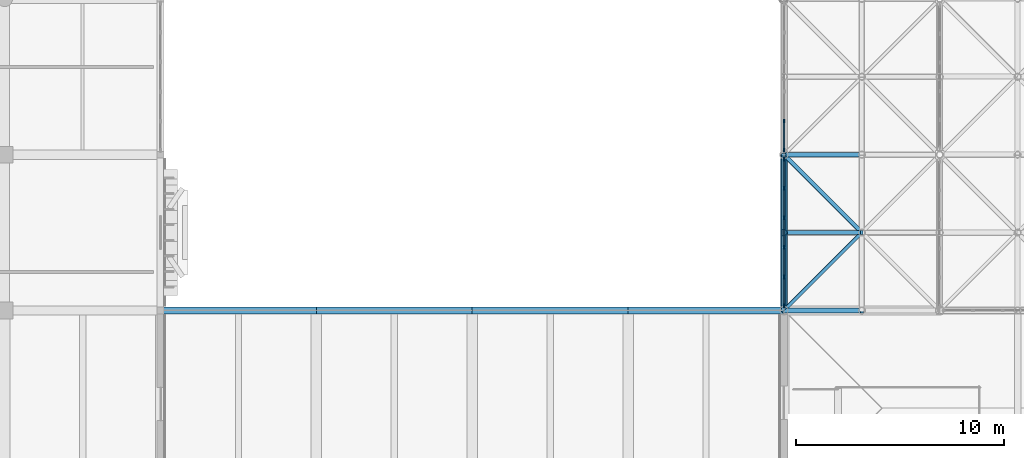
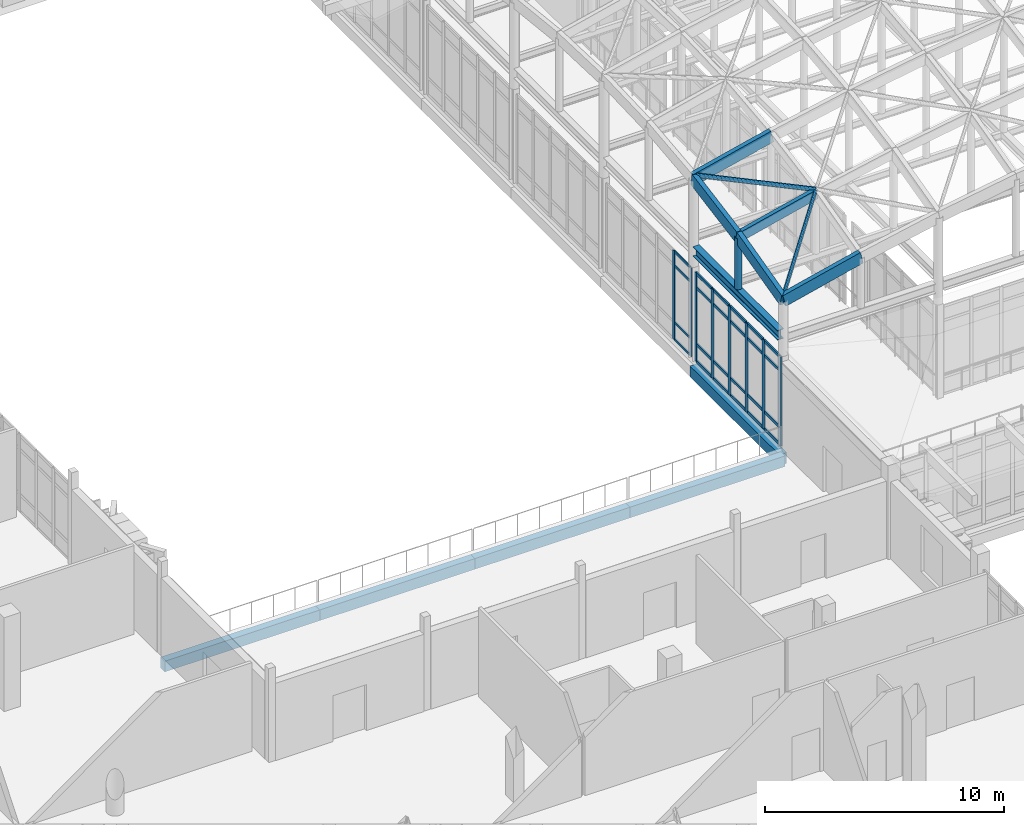
# One storey, part 23 of 131: 40 members, 6 beams, 2 elements without a shape of their own.
"""IFC4 building model written with IfcOpenShell, lengths in metres."""

from ifc_helpers import new_model, si_unit, direction, frame, origin, origin_2d, place, context, subcontext, project, spatial, rectangle, hollow_circle, i_section, extrude, material, layer, layer_set, material_profile, profile_set, type_object, element, aggregate, save


model = new_model("IFC4")

# Units and contexts
model_context = context("Model", 3, precision=1e-05, world=origin(), true_north=direction((0.0, 1.0)))
body_context = subcontext(model_context, "Body", "Model", "MODEL_VIEW")
ifc_project = project(units=[si_unit("LENGTHUNIT", "METRE"), si_unit("AREAUNIT", "SQUARE_METRE"), si_unit("VOLUMEUNIT", "CUBIC_METRE"), si_unit("PLANEANGLEUNIT", "RADIAN"), si_unit("MASSUNIT", "GRAM", prefix="KILO")], contexts=[model_context])

# Site, building, storey
site_placement = place(None, origin())
site = spatial("IfcSite", under=ifc_project, at=site_placement, CompositionType="ELEMENT")
building_placement = place(site_placement, origin())
building = spatial("IfcBuilding", under=site, at=building_placement, Name="Dalvernix Boulevard General Hospital", CompositionType="ELEMENT")
storey_placement = place(building_placement, frame((0.0, 0.0, 9.300048828125)))
storey = spatial("IfcBuildingStorey", under=building, at=storey_placement, Name="L02", CompositionType="ELEMENT", Elevation=9.300048828125)

# Beams
ifc_material_1 = material(Name="Steel S355", Category="steel")
ifc_material_profile_1 = material_profile(ifc_material_1, i_section(OverallWidth=0.300048828125, OverallDepth=0.5, WebThickness=0.014404296875, FlangeThickness=0.028076171875, FilletRadius=0.027099609375, at=origin_2d()), Name="HEB 500")
ifc_profile_set_1 = profile_set([ifc_material_profile_1], Name="Steel S355")
beam_type_1 = type_object("IfcBeamType", Name="BM-RB-02", PredefinedType="BEAM", material=ifc_profile_set_1)
beam_placement = place(storey_placement, frame((60.0, 31.7099609375, 5.64990234375), z_axis=(0.0, 1.0, 0.0), x_axis=(-1.0, 0.0, 0.0)))
element("IfcBeam", 1, at=beam_placement, inside=storey, type_object=beam_type_1, Name="Gridshell Ring Beam W bay 1", PredefinedType="BEAM", context=body_context, shape_type="SweptSolid", body=[
    extrude(i_section(OverallWidth=0.300048828125, OverallDepth=0.5, WebThickness=0.014404296875, FlangeThickness=0.028076171875, FilletRadius=0.027099609375, at=origin_2d()), origin(), (0.0, 0.0, 1.0), 7.080078125),
])
ifc_material_2 = material(Name="Concrete C35/45", Category="concrete")
ifc_material_profile_2 = material_profile(ifc_material_2, rectangle(XDim=0.35009765625, YDim=0.550048828125, at=origin_2d()), Name="RCB 350x550")
ifc_profile_set_2 = profile_set([ifc_material_profile_2], Name="Concrete C35/45")
beam_type_2 = type_object("IfcBeamType", Name="BM-SB-01-E", PredefinedType="SPANDREL", material=ifc_profile_set_2)
for number, where, z_axis, x_axis, name in (
    (2, (30.0, 31.5, -0.594970703125), (1.0, 0.0, 0.0), (0.0, 1.0, 0.0), "L02 E-W girder E:5-6"),
    (3, (37.5, 31.5, -0.594970703125), (1.0, 0.0, 0.0), (0.0, 1.0, 0.0), "L02 E-W girder E:6-7"),
    (4, (45.0, 31.5, -0.594970703125), (1.0, 0.0, 0.0), (0.0, 1.0, 0.0), "L02 E-W girder E:7-8"),
    (5, (52.5, 31.5, -0.594970703125), (1.0, 0.0, 0.0), (0.0, 1.0, 0.0), "L02 E-W girder E:8-9"),
    (6, (60.0, 31.5, -0.594970703125), (0.0, 1.0, 0.0), (-1.0, 0.0, 0.0), "L02 N-S girder 9:E-F"),
):
    element("IfcBeam", number, at=place(storey_placement, frame(where, z_axis=z_axis, x_axis=x_axis)), inside=storey, type_object=beam_type_2, Name=name, PredefinedType="SPANDREL", context=body_context, shape_type="SweptSolid", body=[
        extrude(rectangle(XDim=0.35009765625, YDim=0.550048828125, at=origin_2d()), origin(), (0.0, 0.0, 1.0), 7.5),
    ])

# Curtain wall, members
ifc_material_3 = material(Name="Thermally broken aluminium and solar-control glass curtain wall", Category="aluminium")
ifc_layer_1 = layer(ifc_material_3, 0.159912109375)
ifc_layer_set_1 = layer_set([ifc_layer_1], Name="Thermally broken aluminium and solar-control glass curtain wall (CW-CW-A-71x46)")
curtain_wall_type_1 = type_object("IfcCurtainWallType", Name="CW-CW-A-71x46", PredefinedType="USERDEFINED", material=ifc_layer_set_1)
curtain_wall_1_placement = place(storey_placement, origin())
curtain_wall_1 = element("IfcCurtainWall", 7, at=curtain_wall_1_placement, inside=storey, type_object=curtain_wall_type_1, Name="L02 curtain wall CW-A-71x46 8-5", ObjectType="GLAZED FACADE", PredefinedType="USERDEFINED")
ifc_material_4 = material(Name="Aluminium EN AW-6060", Category="aluminium")
ifc_material_profile_3 = material_profile(ifc_material_4, rectangle(XDim=0.06005859375, YDim=0.159912109375, at=origin_2d()), Name="ALU MULL 60x160")
ifc_profile_set_3 = profile_set([ifc_material_profile_3], Name="Aluminium EN AW-6060")
member_type_1 = type_object("IfcMemberType", Name="MEM-CW-M1", PredefinedType="MULLION", material=ifc_profile_set_3)
member_1_placement = place(storey_placement, frame((60.0, 39.219970703125, 0.0), z_axis=(0.0, 0.0, 1.0), x_axis=(-1.0, 0.0, 0.0)))
member_1 = element("IfcMember", 8, at=member_1_placement, type_object=member_type_1, Name="CW-A-71x46 mullion 1", PredefinedType="MULLION", context=body_context, shape_type="SweptSolid", body=[
    extrude(rectangle(XDim=0.06005859375, YDim=0.159912109375, at=origin_2d()), origin(), (0.0, 0.0, 1.0), 4.550048828125),
])
member_2_placement = place(storey_placement, frame((60.0, 40.614013671875, 0.0), z_axis=(0.0, 0.0, 1.0), x_axis=(-1.0, 0.0, 0.0)))
member_2 = element("IfcMember", 9, at=member_2_placement, type_object=member_type_1, Name="CW-A-71x46 mullion 2", PredefinedType="MULLION", context=body_context, shape_type="SweptSolid", body=[
    extrude(rectangle(XDim=0.06005859375, YDim=0.159912109375, at=origin_2d()), origin(), (0.0, 0.0, 1.0), 4.550048828125),
])

ifc_layer_2 = layer(ifc_material_3, 0.199951171875)
ifc_layer_set_2 = layer_set([ifc_layer_2], Name="Thermally broken aluminium and solar-control glass curtain wall (CW-CW-C-71x46)")
curtain_wall_type_2 = type_object("IfcCurtainWallType", Name="CW-CW-C-71x46", PredefinedType="USERDEFINED", material=ifc_layer_set_2)
curtain_wall_2_placement = place(storey_placement, origin())
curtain_wall_2 = element("IfcCurtainWall", 10, at=curtain_wall_2_placement, inside=storey, type_object=curtain_wall_type_2, Name="L02 curtain wall CW-C-71x46 8-4", ObjectType="GLAZED FACADE", PredefinedType="USERDEFINED")
ifc_material_profile_4 = material_profile(ifc_material_4, rectangle(XDim=0.070068359375, YDim=0.199951171875, at=origin_2d()), Name="ALU MULL 70x200")
ifc_profile_set_4 = profile_set([ifc_material_profile_4], Name="Aluminium EN AW-6060")
member_type_2 = type_object("IfcMemberType", Name="MEM-CW-M3", PredefinedType="MULLION", material=ifc_profile_set_4)
member_3_placement = place(storey_placement, frame((60.0, 31.72509765625, 0.0), z_axis=(0.0, 0.0, 1.0), x_axis=(-1.0, 0.0, 0.0)))
member_3 = element("IfcMember", 11, at=member_3_placement, type_object=member_type_2, Name="CW-C-71x46 mullion 1", PredefinedType="MULLION", context=body_context, shape_type="SweptSolid", body=[
    extrude(rectangle(XDim=0.070068359375, YDim=0.199951171875, at=origin_2d()), origin(), (0.0, 0.0, 1.0), 4.550048828125),
])
member_4_placement = place(storey_placement, frame((60.0, 33.114013671875, 0.0), z_axis=(0.0, 0.0, 1.0), x_axis=(-1.0, 0.0, 0.0)))
member_4 = element("IfcMember", 12, at=member_4_placement, type_object=member_type_2, Name="CW-C-71x46 mullion 2", PredefinedType="MULLION", context=body_context, shape_type="SweptSolid", body=[
    extrude(rectangle(XDim=0.070068359375, YDim=0.199951171875, at=origin_2d()), origin(), (0.0, 0.0, 1.0), 4.550048828125),
])
member_5_placement = place(storey_placement, frame((60.0, 34.5380859375, 0.0), z_axis=(0.0, 0.0, 1.0), x_axis=(-1.0, 0.0, 0.0)))
member_5 = element("IfcMember", 13, at=member_5_placement, type_object=member_type_2, Name="CW-C-71x46 mullion 3", PredefinedType="MULLION", context=body_context, shape_type="SweptSolid", body=[
    extrude(rectangle(XDim=0.070068359375, YDim=0.199951171875, at=origin_2d()), origin(), (0.0, 0.0, 1.0), 4.550048828125),
])
member_6_placement = place(storey_placement, frame((60.0, 35.9619140625, 0.0), z_axis=(0.0, 0.0, 1.0), x_axis=(-1.0, 0.0, 0.0)))
member_6 = element("IfcMember", 14, at=member_6_placement, type_object=member_type_2, Name="CW-C-71x46 mullion 4", PredefinedType="MULLION", context=body_context, shape_type="SweptSolid", body=[
    extrude(rectangle(XDim=0.070068359375, YDim=0.199951171875, at=origin_2d()), origin(), (0.0, 0.0, 1.0), 4.550048828125),
])
member_7_placement = place(storey_placement, frame((60.0, 37.385986328125, 0.0), z_axis=(0.0, 0.0, 1.0), x_axis=(-1.0, 0.0, 0.0)))
member_7 = element("IfcMember", 15, at=member_7_placement, type_object=member_type_2, Name="CW-C-71x46 mullion 5", PredefinedType="MULLION", context=body_context, shape_type="SweptSolid", body=[
    extrude(rectangle(XDim=0.070068359375, YDim=0.199951171875, at=origin_2d()), origin(), (0.0, 0.0, 1.0), 4.550048828125),
])
member_8_placement = place(storey_placement, frame((60.0, 38.77490234375, 0.0), z_axis=(0.0, 0.0, 1.0), x_axis=(-1.0, 0.0, 0.0)))
member_8 = element("IfcMember", 16, at=member_8_placement, type_object=member_type_2, Name="CW-C-71x46 mullion 6", PredefinedType="MULLION", context=body_context, shape_type="SweptSolid", body=[
    extrude(rectangle(XDim=0.070068359375, YDim=0.199951171875, at=origin_2d()), origin(), (0.0, 0.0, 1.0), 4.550048828125),
])

# Member
ifc_material_profile_5 = material_profile(ifc_material_4, rectangle(XDim=0.06005859375, YDim=0.1201171875, at=origin_2d()), Name="ALU TRAN 60x120")
ifc_profile_set_5 = profile_set([ifc_material_profile_5], Name="Aluminium EN AW-6060")
member_type_3 = type_object("IfcMemberType", Name="MEM-CW-T1", PredefinedType="USERDEFINED", material=ifc_profile_set_5)
member_9_placement = place(storey_placement, frame((60.0, 39.25, 0.030029296875), z_axis=(0.0, 1.0, 0.0), x_axis=(-1.0, 0.0, 0.0)))
member_9 = element("IfcMember", 17, at=member_9_placement, type_object=member_type_3, Name="CW-A-71x46 transom 1.1", ObjectType="TRANSOM", PredefinedType="USERDEFINED", context=body_context, shape_type="SweptSolid", body=[
    extrude(rectangle(XDim=0.06005859375, YDim=0.1201171875, at=origin_2d()), origin(), (0.0, 0.0, 1.0), 1.333984375),
])

member_10_placement = place(storey_placement, frame((60.0, 39.25, 0.89990234375), z_axis=(0.0, 1.0, 0.0), x_axis=(-1.0, 0.0, 0.0)))
member_10 = element("IfcMember", 18, at=member_10_placement, type_object=member_type_3, Name="CW-A-71x46 transom 1.2", ObjectType="TRANSOM", PredefinedType="USERDEFINED", context=body_context, shape_type="SweptSolid", body=[
    extrude(rectangle(XDim=0.06005859375, YDim=0.1201171875, at=origin_2d()), origin(), (0.0, 0.0, 1.0), 1.333984375),
])

member_11_placement = place(storey_placement, frame((60.0, 39.25, 3.800048828125), z_axis=(0.0, 1.0, 0.0), x_axis=(-1.0, 0.0, 0.0)))
member_11 = element("IfcMember", 19, at=member_11_placement, type_object=member_type_3, Name="CW-A-71x46 transom 1.3", ObjectType="TRANSOM", PredefinedType="USERDEFINED", context=body_context, shape_type="SweptSolid", body=[
    extrude(rectangle(XDim=0.06005859375, YDim=0.1201171875, at=origin_2d()), origin(), (0.0, 0.0, 1.0), 1.333984375),
])

member_12_placement = place(storey_placement, frame((60.0, 39.25, 4.52001953125), z_axis=(0.0, 1.0, 0.0), x_axis=(-1.0, 0.0, 0.0)))
member_12 = element("IfcMember", 20, at=member_12_placement, type_object=member_type_3, Name="CW-A-71x46 transom 1.4", ObjectType="TRANSOM", PredefinedType="USERDEFINED", context=body_context, shape_type="SweptSolid", body=[
    extrude(rectangle(XDim=0.06005859375, YDim=0.1201171875, at=origin_2d()), origin(), (0.0, 0.0, 1.0), 1.333984375),
])

aggregate(curtain_wall_1, [member_1, member_2, member_9, member_10, member_11, member_12])

ifc_material_profile_6 = material_profile(ifc_material_4, rectangle(XDim=0.070068359375, YDim=0.14990234375, at=origin_2d()), Name="ALU TRAN 70x150")
ifc_profile_set_6 = profile_set([ifc_material_profile_6], Name="Aluminium EN AW-6060")
member_type_4 = type_object("IfcMemberType", Name="MEM-CW-T3", PredefinedType="USERDEFINED", material=ifc_profile_set_6)
member_13_placement = place(storey_placement, frame((60.0, 31.760009765625, 0.034912109375), z_axis=(0.0, 1.0, 0.0), x_axis=(-1.0, 0.0, 0.0)))
member_13 = element("IfcMember", 21, at=member_13_placement, type_object=member_type_4, Name="CW-C-71x46 transom 1.1", ObjectType="TRANSOM", PredefinedType="USERDEFINED", context=body_context, shape_type="SweptSolid", body=[
    extrude(rectangle(XDim=0.070068359375, YDim=0.14990234375, at=origin_2d()), origin(), (0.0, 0.0, 1.0), 1.319091796875),
])

member_14_placement = place(storey_placement, frame((60.0, 31.760009765625, 0.89990234375), z_axis=(0.0, 1.0, 0.0), x_axis=(-1.0, 0.0, 0.0)))
member_14 = element("IfcMember", 22, at=member_14_placement, type_object=member_type_4, Name="CW-C-71x46 transom 1.2", ObjectType="TRANSOM", PredefinedType="USERDEFINED", context=body_context, shape_type="SweptSolid", body=[
    extrude(rectangle(XDim=0.070068359375, YDim=0.14990234375, at=origin_2d()), origin(), (0.0, 0.0, 1.0), 1.319091796875),
])

member_15_placement = place(storey_placement, frame((60.0, 31.760009765625, 3.800048828125), z_axis=(0.0, 1.0, 0.0), x_axis=(-1.0, 0.0, 0.0)))
member_15 = element("IfcMember", 23, at=member_15_placement, type_object=member_type_4, Name="CW-C-71x46 transom 1.3", ObjectType="TRANSOM", PredefinedType="USERDEFINED", context=body_context, shape_type="SweptSolid", body=[
    extrude(rectangle(XDim=0.070068359375, YDim=0.14990234375, at=origin_2d()), origin(), (0.0, 0.0, 1.0), 1.319091796875),
])

member_16_placement = place(storey_placement, frame((60.0, 31.760009765625, 4.514892578125), z_axis=(0.0, 1.0, 0.0), x_axis=(-1.0, 0.0, 0.0)))
member_16 = element("IfcMember", 24, at=member_16_placement, type_object=member_type_4, Name="CW-C-71x46 transom 1.4", ObjectType="TRANSOM", PredefinedType="USERDEFINED", context=body_context, shape_type="SweptSolid", body=[
    extrude(rectangle(XDim=0.070068359375, YDim=0.14990234375, at=origin_2d()), origin(), (0.0, 0.0, 1.0), 1.319091796875),
])

member_17_placement = place(storey_placement, frame((60.0, 33.14892578125, 0.034912109375), z_axis=(0.0, 1.0, 0.0), x_axis=(-1.0, 0.0, 0.0)))
member_17 = element("IfcMember", 25, at=member_17_placement, type_object=member_type_4, Name="CW-C-71x46 transom 2.1", ObjectType="TRANSOM", PredefinedType="USERDEFINED", context=body_context, shape_type="SweptSolid", body=[
    extrude(rectangle(XDim=0.070068359375, YDim=0.14990234375, at=origin_2d()), origin(), (0.0, 0.0, 1.0), 1.35400390625),
])

member_18_placement = place(storey_placement, frame((60.0, 33.14892578125, 0.89990234375), z_axis=(0.0, 1.0, 0.0), x_axis=(-1.0, 0.0, 0.0)))
member_18 = element("IfcMember", 26, at=member_18_placement, type_object=member_type_4, Name="CW-C-71x46 transom 2.2", ObjectType="TRANSOM", PredefinedType="USERDEFINED", context=body_context, shape_type="SweptSolid", body=[
    extrude(rectangle(XDim=0.070068359375, YDim=0.14990234375, at=origin_2d()), origin(), (0.0, 0.0, 1.0), 1.35400390625),
])

member_19_placement = place(storey_placement, frame((60.0, 33.14892578125, 3.800048828125), z_axis=(0.0, 1.0, 0.0), x_axis=(-1.0, 0.0, 0.0)))
member_19 = element("IfcMember", 27, at=member_19_placement, type_object=member_type_4, Name="CW-C-71x46 transom 2.3", ObjectType="TRANSOM", PredefinedType="USERDEFINED", context=body_context, shape_type="SweptSolid", body=[
    extrude(rectangle(XDim=0.070068359375, YDim=0.14990234375, at=origin_2d()), origin(), (0.0, 0.0, 1.0), 1.35400390625),
])

member_20_placement = place(storey_placement, frame((60.0, 33.14892578125, 4.514892578125), z_axis=(0.0, 1.0, 0.0), x_axis=(-1.0, 0.0, 0.0)))
member_20 = element("IfcMember", 28, at=member_20_placement, type_object=member_type_4, Name="CW-C-71x46 transom 2.4", ObjectType="TRANSOM", PredefinedType="USERDEFINED", context=body_context, shape_type="SweptSolid", body=[
    extrude(rectangle(XDim=0.070068359375, YDim=0.14990234375, at=origin_2d()), origin(), (0.0, 0.0, 1.0), 1.35400390625),
])

member_21_placement = place(storey_placement, frame((60.0, 34.572998046875, 0.034912109375), z_axis=(0.0, 1.0, 0.0), x_axis=(-1.0, 0.0, 0.0)))
member_21 = element("IfcMember", 29, at=member_21_placement, type_object=member_type_4, Name="CW-C-71x46 transom 3.1", ObjectType="TRANSOM", PredefinedType="USERDEFINED", context=body_context, shape_type="SweptSolid", body=[
    extrude(rectangle(XDim=0.070068359375, YDim=0.14990234375, at=origin_2d()), origin(), (0.0, 0.0, 1.0), 1.35400390625),
])

member_22_placement = place(storey_placement, frame((60.0, 34.572998046875, 0.89990234375), z_axis=(0.0, 1.0, 0.0), x_axis=(-1.0, 0.0, 0.0)))
member_22 = element("IfcMember", 30, at=member_22_placement, type_object=member_type_4, Name="CW-C-71x46 transom 3.2", ObjectType="TRANSOM", PredefinedType="USERDEFINED", context=body_context, shape_type="SweptSolid", body=[
    extrude(rectangle(XDim=0.070068359375, YDim=0.14990234375, at=origin_2d()), origin(), (0.0, 0.0, 1.0), 1.35400390625),
])

member_23_placement = place(storey_placement, frame((60.0, 34.572998046875, 3.800048828125), z_axis=(0.0, 1.0, 0.0), x_axis=(-1.0, 0.0, 0.0)))
member_23 = element("IfcMember", 31, at=member_23_placement, type_object=member_type_4, Name="CW-C-71x46 transom 3.3", ObjectType="TRANSOM", PredefinedType="USERDEFINED", context=body_context, shape_type="SweptSolid", body=[
    extrude(rectangle(XDim=0.070068359375, YDim=0.14990234375, at=origin_2d()), origin(), (0.0, 0.0, 1.0), 1.35400390625),
])

member_24_placement = place(storey_placement, frame((60.0, 34.572998046875, 4.514892578125), z_axis=(0.0, 1.0, 0.0), x_axis=(-1.0, 0.0, 0.0)))
member_24 = element("IfcMember", 32, at=member_24_placement, type_object=member_type_4, Name="CW-C-71x46 transom 3.4", ObjectType="TRANSOM", PredefinedType="USERDEFINED", context=body_context, shape_type="SweptSolid", body=[
    extrude(rectangle(XDim=0.070068359375, YDim=0.14990234375, at=origin_2d()), origin(), (0.0, 0.0, 1.0), 1.35400390625),
])

member_25_placement = place(storey_placement, frame((60.0, 35.9970703125, 0.034912109375), z_axis=(0.0, 1.0, 0.0), x_axis=(-1.0, 0.0, 0.0)))
member_25 = element("IfcMember", 33, at=member_25_placement, type_object=member_type_4, Name="CW-C-71x46 transom 4.1", ObjectType="TRANSOM", PredefinedType="USERDEFINED", context=body_context, shape_type="SweptSolid", body=[
    extrude(rectangle(XDim=0.070068359375, YDim=0.14990234375, at=origin_2d()), origin(), (0.0, 0.0, 1.0), 1.35400390625),
])

member_26_placement = place(storey_placement, frame((60.0, 35.9970703125, 0.89990234375), z_axis=(0.0, 1.0, 0.0), x_axis=(-1.0, 0.0, 0.0)))
member_26 = element("IfcMember", 34, at=member_26_placement, type_object=member_type_4, Name="CW-C-71x46 transom 4.2", ObjectType="TRANSOM", PredefinedType="USERDEFINED", context=body_context, shape_type="SweptSolid", body=[
    extrude(rectangle(XDim=0.070068359375, YDim=0.14990234375, at=origin_2d()), origin(), (0.0, 0.0, 1.0), 1.35400390625),
])

member_27_placement = place(storey_placement, frame((60.0, 35.9970703125, 3.800048828125), z_axis=(0.0, 1.0, 0.0), x_axis=(-1.0, 0.0, 0.0)))
member_27 = element("IfcMember", 35, at=member_27_placement, type_object=member_type_4, Name="CW-C-71x46 transom 4.3", ObjectType="TRANSOM", PredefinedType="USERDEFINED", context=body_context, shape_type="SweptSolid", body=[
    extrude(rectangle(XDim=0.070068359375, YDim=0.14990234375, at=origin_2d()), origin(), (0.0, 0.0, 1.0), 1.35400390625),
])

member_28_placement = place(storey_placement, frame((60.0, 35.9970703125, 4.514892578125), z_axis=(0.0, 1.0, 0.0), x_axis=(-1.0, 0.0, 0.0)))
member_28 = element("IfcMember", 36, at=member_28_placement, type_object=member_type_4, Name="CW-C-71x46 transom 4.4", ObjectType="TRANSOM", PredefinedType="USERDEFINED", context=body_context, shape_type="SweptSolid", body=[
    extrude(rectangle(XDim=0.070068359375, YDim=0.14990234375, at=origin_2d()), origin(), (0.0, 0.0, 1.0), 1.35400390625),
])

member_29_placement = place(storey_placement, frame((60.0, 37.4208984375, 0.034912109375), z_axis=(0.0, 1.0, 0.0), x_axis=(-1.0, 0.0, 0.0)))
member_29 = element("IfcMember", 37, at=member_29_placement, type_object=member_type_4, Name="CW-C-71x46 transom 5.1", ObjectType="TRANSOM", PredefinedType="USERDEFINED", context=body_context, shape_type="SweptSolid", body=[
    extrude(rectangle(XDim=0.070068359375, YDim=0.14990234375, at=origin_2d()), origin(), (0.0, 0.0, 1.0), 1.319091796875),
])

member_30_placement = place(storey_placement, frame((60.0, 37.4208984375, 0.89990234375), z_axis=(0.0, 1.0, 0.0), x_axis=(-1.0, 0.0, 0.0)))
member_30 = element("IfcMember", 38, at=member_30_placement, type_object=member_type_4, Name="CW-C-71x46 transom 5.2", ObjectType="TRANSOM", PredefinedType="USERDEFINED", context=body_context, shape_type="SweptSolid", body=[
    extrude(rectangle(XDim=0.070068359375, YDim=0.14990234375, at=origin_2d()), origin(), (0.0, 0.0, 1.0), 1.319091796875),
])

member_31_placement = place(storey_placement, frame((60.0, 37.4208984375, 3.800048828125), z_axis=(0.0, 1.0, 0.0), x_axis=(-1.0, 0.0, 0.0)))
member_31 = element("IfcMember", 39, at=member_31_placement, type_object=member_type_4, Name="CW-C-71x46 transom 5.3", ObjectType="TRANSOM", PredefinedType="USERDEFINED", context=body_context, shape_type="SweptSolid", body=[
    extrude(rectangle(XDim=0.070068359375, YDim=0.14990234375, at=origin_2d()), origin(), (0.0, 0.0, 1.0), 1.319091796875),
])

member_32_placement = place(storey_placement, frame((60.0, 37.4208984375, 4.514892578125), z_axis=(0.0, 1.0, 0.0), x_axis=(-1.0, 0.0, 0.0)))
member_32 = element("IfcMember", 40, at=member_32_placement, type_object=member_type_4, Name="CW-C-71x46 transom 5.4", ObjectType="TRANSOM", PredefinedType="USERDEFINED", context=body_context, shape_type="SweptSolid", body=[
    extrude(rectangle(XDim=0.070068359375, YDim=0.14990234375, at=origin_2d()), origin(), (0.0, 0.0, 1.0), 1.319091796875),
])

aggregate(curtain_wall_2, [member_3, member_4, member_5, member_6, member_7, member_8, member_13, member_14, member_15, member_16, member_17, member_18, member_19, member_20, member_21, member_22, member_23, member_24, member_25, member_26, member_27, member_28, member_29, member_30, member_31, member_32])

# Members
ifc_material_5 = material(Name="Glulam GL28h", Category="wood")
ifc_material_profile_7 = material_profile(ifc_material_5, rectangle(XDim=0.219970703125, YDim=0.60009765625, at=origin_2d()), Name="GL28h 220x600")
ifc_profile_set_7 = profile_set([ifc_material_profile_7], Name="Glulam GL28h")
member_type_5 = type_object("IfcMemberType", Name="MEM-GS-C1", PredefinedType="CHORD", material=ifc_profile_set_7)
for number, where, z_axis, x_axis, name in (
    (41, (60.0, 31.5, 7.550048828125), (0.972278025754, 0.0, 0.233827801246), (0.0, 1.0, 0.0), "ROOF TRUSS Gridshell E-W glulam rib 1-1"),
    (42, (60.0, 39.0, 9.199951171875), (0.972263633295, 0.0, 0.233887638348), (0.0, 1.0, 0.0), "ROOF TRUSS Gridshell E-W glulam rib 1-3"),
):
    element("IfcMember", number, at=place(storey_placement, frame(where, z_axis=z_axis, x_axis=x_axis)), inside=storey, type_object=member_type_5, Name=name, PredefinedType="CHORD", context=body_context, shape_type="SweptSolid", body=[
        extrude(rectangle(XDim=0.219970703125, YDim=0.60009765625, at=origin_2d()), origin(), (0.0, 0.0, 1.0), 3.85693359375),
    ])
member_33_placement = place(storey_placement, frame((60.0, 31.5, 7.550048828125), z_axis=(0.0, 0.968610158303, 0.248584716408), x_axis=(-1.0, 0.0, 0.0)))
element("IfcMember", 43, at=member_33_placement, inside=storey, type_object=member_type_5, Name="ROOF TRUSS Gridshell N-S glulam rib 1-1", PredefinedType="CHORD", context=body_context, shape_type="SweptSolid", body=[
    extrude(rectangle(XDim=0.219970703125, YDim=0.60009765625, at=origin_2d()), origin(), (0.0, 0.0, 1.0), 3.87158203125),
])
member_34_placement = place(storey_placement, frame((60.0, 35.25, 8.512451171875), z_axis=(0.0, 0.983606557377, 0.180327868852), x_axis=(-1.0, 0.0, 0.0)))
element("IfcMember", 44, at=member_34_placement, inside=storey, type_object=member_type_5, Name="ROOF TRUSS Gridshell N-S glulam rib 1-2", PredefinedType="CHORD", context=body_context, shape_type="SweptSolid", body=[
    extrude(rectangle(XDim=0.219970703125, YDim=0.60009765625, at=origin_2d()), origin(), (0.0, 0.0, 1.0), 3.8125),
])
ifc_material_profile_8 = material_profile(ifc_material_5, rectangle(XDim=0.199951171875, YDim=0.47998046875, at=origin_2d()), Name="GL28h 200x480")
ifc_profile_set_8 = profile_set([ifc_material_profile_8], Name="Glulam GL28h")
member_type_6 = type_object("IfcMemberType", Name="MEM-GS-C2", PredefinedType="CHORD", material=ifc_profile_set_8)
member_35_placement = place(storey_placement, frame((60.0, 35.25, 8.512451171875), z_axis=(0.972263633295, 0.0, 0.233887638348), x_axis=(0.0, 1.0, 0.0)))
element("IfcMember", 45, at=member_35_placement, inside=storey, type_object=member_type_6, Name="ROOF TRUSS Gridshell E-W glulam rib 1-2", PredefinedType="CHORD", context=body_context, shape_type="SweptSolid", body=[
    extrude(rectangle(XDim=0.199951171875, YDim=0.47998046875, at=origin_2d()), origin(), (0.0, 0.0, 1.0), 3.85693359375),
])
ifc_material_profile_9 = material_profile(ifc_material_1, hollow_circle(Radius=0.161865234375, WallThickness=0.012451171875, at=origin_2d()), Name="CHS 323.9x12.5")
ifc_profile_set_9 = profile_set([ifc_material_profile_9], Name="Steel S355")
member_type_7 = type_object("IfcMemberType", Name="MEM-GS-C3", PredefinedType="CHORD", material=ifc_profile_set_9)
member_36_placement = place(storey_placement, frame((60.0, 35.25, 5.89990234375), z_axis=(0.0, 0.0, 1.0), x_axis=(1.0, 0.0, 0.0)))
element("IfcMember", 46, at=member_36_placement, inside=storey, type_object=member_type_7, Name="Gridshell edge mullion 0-1", PredefinedType="CHORD", context=body_context, shape_type="SweptSolid", body=[
    extrude(hollow_circle(Radius=0.161865234375, WallThickness=0.012451171875, at=origin_2d()), origin(), (0.0, 0.0, 1.0), 2.612548828125),
])
ifc_material_profile_10 = material_profile(ifc_material_1, hollow_circle(Radius=0.084228515625, WallThickness=0.00634765625, at=origin_2d()), Name="CHS 168.3x6.3")
ifc_profile_set_10 = profile_set([ifc_material_profile_10], Name="Steel S355")
member_type_8 = type_object("IfcMemberType", Name="MEM-GSD-01", PredefinedType="BRACE", material=ifc_profile_set_10)
member_37_placement = place(storey_placement, frame((60.0, 31.5, 7.739990234375), z_axis=(0.667080628523, 0.667080628523, 0.331672835939), x_axis=(-0.707106781187, 0.707106781187, 0.0)))
element("IfcMember", 47, at=member_37_placement, inside=storey, type_object=member_type_8, Name="ROOF TRUSS Gridshell diagrid tube 1-1", PredefinedType="BRACE", context=body_context, shape_type="SweptSolid", body=[
    extrude(hollow_circle(Radius=0.084228515625, WallThickness=0.00634765625, at=origin_2d()), origin(), (0.0, 0.0, 1.0), 5.62158203125),
])
ifc_material_profile_11 = material_profile(ifc_material_1, hollow_circle(Radius=0.109619140625, WallThickness=0.008056640625, at=origin_2d()), Name="CHS 219.1x8.0")
ifc_profile_set_11 = profile_set([ifc_material_profile_11], Name="Steel S355")
member_type_9 = type_object("IfcMemberType", Name="MEM-GSD-02", PredefinedType="BRACE", material=ifc_profile_set_11)
member_38_placement = place(storey_placement, frame((63.75, 35.25, 9.6044921875), z_axis=(-0.706528568813, 0.706528568813, -0.040432201301), x_axis=(-0.707106781187, -0.707106781187, 0.0)))
element("IfcMember", 48, at=member_38_placement, inside=storey, type_object=member_type_9, Name="ROOF TRUSS Gridshell diagrid tube 1-2", PredefinedType="BRACE", context=body_context, shape_type="SweptSolid", body=[
    extrude(hollow_circle(Radius=0.109619140625, WallThickness=0.008056640625, at=origin_2d()), origin(), (0.0, 0.0, 1.0), 5.3076171875),
])

save(model, "model.ifc")
